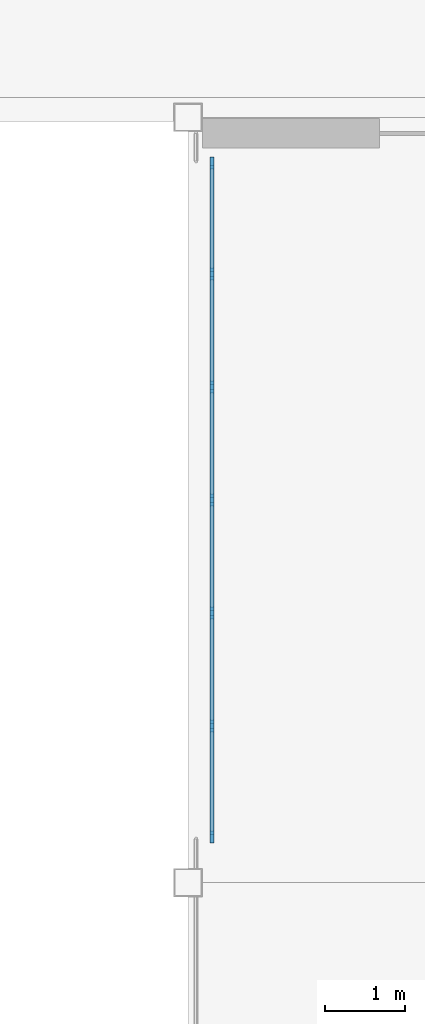
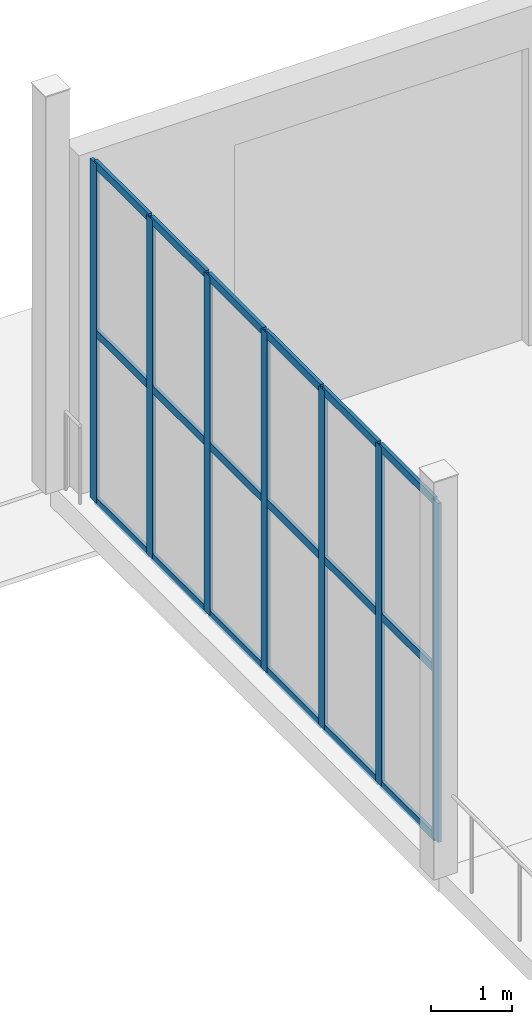
# One storey, part 66 of 139: 25 members, 1 element without a shape of its own.
"""IFC4 building model written with IfcOpenShell, lengths in metres."""

import ifcopenshell
import ifcopenshell.guid

model = None  # the IFC model being written
_history = None  # IfcOwnerHistory: only IFC2X3 demands one
_inside = {}  # id of a spatial element -> (the spatial element, [elements in it])
_under = {}  # id of a project, library or spatial element -> (it, [spatial elements below it])
_declared = {}  # id of a project -> (the project, [libraries it declares])
_typed = {}  # id of a type object -> (the type object, [elements of that type])
_made_of = {}  # id of a material, layer set ... -> (it, [elements and type objects made of it])


def new_model(schema):
    """Start an empty IFC model of exactly this schema.

    Asked for "IFC4X3", IfcOpenShell would pick the latest addendum, in which some entities
    have other attributes; the version numbers below select the first issue.
    IFC2X3 requires an IfcOwnerHistory on every rooted entity: one is made here for all.
    """
    global model, _history
    if schema == "IFC4X3":
        model = ifcopenshell.file(schema_version=(4, 3, 0, 0))
    else:
        model = ifcopenshell.file(schema=schema)
    _inside.clear()
    _under.clear()
    _declared.clear()
    _typed.clear()
    _made_of.clear()
    _history = None
    if model.schema == "IFC2X3":
        org = make("IfcOrganization", Name="unknown")
        user = make(
            "IfcPersonAndOrganization",
            ThePerson=make("IfcPerson", FamilyName="unknown"),
            TheOrganization=org,
        )
        app = make(
            "IfcApplication",
            ApplicationDeveloper=org,
            Version="unknown",
            ApplicationFullName="unknown",
            ApplicationIdentifier="unknown",
        )
        _history = make(
            "IfcOwnerHistory",
            OwningUser=user,
            OwningApplication=app,
            ChangeAction="ADDED",
            CreationDate=0,
        )
    return model


def make(cls, **values):
    """One entity of the class cls with the attributes given. An attribute that is None is left unset."""
    return model.create_entity(
        cls, **{name: value for name, value in values.items() if value is not None}
    )


def rooted(cls, **values):
    """An entity with a GlobalId (a new one), such as an element, a storey or a relation."""
    return make(cls, GlobalId=ifcopenshell.guid.new(), OwnerHistory=_history, **values)


def si_unit(unit_type, name, prefix=None):
    """IfcSIUnit, for example si_unit("LENGTHUNIT", "METRE", prefix="MILLI")."""
    return make("IfcSIUnit", UnitType=unit_type, Prefix=prefix, Name=name)


def assignment(units):
    """IfcUnitAssignment: the units of a project."""
    return None if units is None else make("IfcUnitAssignment", Units=units)


def point(xyz):
    """IfcCartesianPoint."""
    return None if xyz is None else make("IfcCartesianPoint", Coordinates=xyz)


def direction(xyz):
    """IfcDirection."""
    return None if xyz is None else make("IfcDirection", DirectionRatios=xyz)


def frame(location, z_axis=None, x_axis=None):
    """IfcAxis2Placement3D, a coordinate frame: its origin and axes. An axis left out is left unset."""
    return make(
        "IfcAxis2Placement3D",
        Location=point(location),
        Axis=direction(z_axis),
        RefDirection=direction(x_axis),
    )


def frame_2d(location, x_axis=None):
    """IfcAxis2Placement2D, a coordinate frame in the plane: its origin and x axis."""
    return make(
        "IfcAxis2Placement2D", Location=point(location), RefDirection=direction(x_axis)
    )


def origin():
    """The frame at (0, 0, 0) with its axes left unset."""
    return frame((0.0, 0.0, 0.0))


def origin_2d():
    """The frame at (0, 0) in the plane with its x axis left unset."""
    return frame_2d((0.0, 0.0))


def place(relative_to, where):
    """IfcLocalPlacement: puts the frame where relative to a parent placement (None: the world)."""
    return make(
        "IfcLocalPlacement", PlacementRelTo=relative_to, RelativePlacement=where
    )


def context(
    kind, dimensions, precision=None, world=None, true_north=None, identifier=None
):
    """IfcGeometricRepresentationContext, for example the 3D "Model" context."""
    return make(
        "IfcGeometricRepresentationContext",
        ContextIdentifier=identifier,
        ContextType=kind,
        CoordinateSpaceDimension=dimensions,
        Precision=precision,
        WorldCoordinateSystem=world,
        TrueNorth=true_north,
    )


def subcontext(parent, identifier, kind, view, scale=None):
    """IfcGeometricRepresentationSubContext, for example "Body" below "Model"."""
    return make(
        "IfcGeometricRepresentationSubContext",
        ContextIdentifier=identifier,
        ContextType=kind,
        ParentContext=parent,
        TargetScale=scale,
        TargetView=view,
    )


def project(units=None, contexts=None):
    """IfcProject with its units and contexts."""
    return rooted(
        "IfcProject",
        Name="project",
        RepresentationContexts=contexts,
        UnitsInContext=assignment(units),
    )


def spatial(cls, under=None, at=None, **own):
    """A site, building, storey or space (cls), placed at a placement, below another one or the project."""
    s = rooted(cls, ObjectPlacement=at, **own)
    if under is not None:
        _under.setdefault(under.id(), (under, []))[1].append(s)
    return s


def profile(cls, at=None, kind="AREA", **sizes):
    """A parametric profile (cls). Its sizes go by their IFC names, for example OverallWidth=200.0."""
    return make(cls, ProfileType=kind, Position=at, **sizes)


def rectangle(**sizes):
    """IfcRectangleProfileDef."""
    return profile("IfcRectangleProfileDef", **sizes)


def extrude(swept, where, along, depth):
    """IfcExtrudedAreaSolid: the profile swept, set in the frame where, extruded along a direction by depth."""
    return make(
        "IfcExtrudedAreaSolid",
        SweptArea=swept,
        Position=where,
        ExtrudedDirection=direction(along),
        Depth=depth,
    )


def shape(context_of_items, identifier, shape_type, items):
    """IfcShapeRepresentation: the items that make up one representation, for example the "Body"."""
    return make(
        "IfcShapeRepresentation",
        ContextOfItems=context_of_items,
        RepresentationIdentifier=identifier,
        RepresentationType=shape_type,
        Items=items,
    )


def material(Name=None, Category=None):
    """IfcMaterial."""
    return make("IfcMaterial", Name=Name, Category=Category)


def layer(
    of_material, thickness, ventilated=None, Name=None, Category=None, Priority=None
):
    """IfcMaterialLayer: one layer of a wall or slab, of a material (None: an air gap)."""
    return make(
        "IfcMaterialLayer",
        Material=of_material,
        LayerThickness=thickness,
        IsVentilated=ventilated,
        Name=Name,
        Category=Category,
        Priority=Priority,
    )


def layer_set(layers, Name=None):
    """IfcMaterialLayerSet."""
    return make("IfcMaterialLayerSet", MaterialLayers=layers, LayerSetName=Name)


def material_profile(
    of_material, cross_section, Name=None, Category=None, Priority=None
):
    """IfcMaterialProfile: a cross section and its material."""
    return make(
        "IfcMaterialProfile",
        Name=Name,
        Material=of_material,
        Profile=cross_section,
        Priority=Priority,
        Category=Category,
    )


def profile_set(profiles, Name=None, composite=None):
    """IfcMaterialProfileSet."""
    return make(
        "IfcMaterialProfileSet",
        Name=Name,
        MaterialProfiles=profiles,
        CompositeProfile=composite,
    )


def made_of(thing, what):
    """Note that an element or type object is made of a material, layer set ...; save() writes the relation."""
    if what is not None:
        _made_of.setdefault(what.id(), (what, []))[1].append(thing)
    return thing


def type_object(cls, material=None, **own):
    """A type object (cls), such as IfcWallType, which elements share."""
    return made_of(rooted(cls, **own), material)


def element(
    cls,
    number,
    at=None,
    inside=None,
    cuts=None,
    type_object=None,
    material=None,
    context=None,
    identifier="Body",
    shape_type=None,
    held_by="IfcProductDefinitionShape",
    body=None,
    shapes=None,
    **own,
):
    """One element of the class cls, such as IfcWall. Its Tag is "e" and its number.

    at: its placement. inside: the storey or other place that contains it. cuts: it is an
    opening in that element (IfcRelVoidsElement). A single representation is given by context,
    identifier, shape_type and body (its items); several are given by shapes. held_by: the class
    of the entity that holds the representations. save() writes the other relations.
    """
    e = rooted(cls, Tag="e%d" % number, ObjectPlacement=at, **own)
    if body is not None:
        shapes = [shape(context, identifier, shape_type, body)]
    if shapes is not None:
        e.Representation = make(held_by, Representations=shapes)
    if inside is not None:
        _inside.setdefault(inside.id(), (inside, []))[1].append(e)
    if cuts is not None:
        rooted(
            "IfcRelVoidsElement", RelatingBuildingElement=cuts, RelatedOpeningElement=e
        )
    if type_object is not None:
        _typed.setdefault(type_object.id(), (type_object, []))[1].append(e)
    return made_of(e, material)


def aggregate(whole, parts):
    """IfcRelAggregates: a whole, such as a stair, and the parts it consists of."""
    return rooted("IfcRelAggregates", RelatingObject=whole, RelatedObjects=parts)


def save(model, path):
    """Write the relations noted so far, then the file.

    IfcRelAggregates (storeys below a building ...), IfcRelContainedInSpatialStructure (elements
    in a storey), IfcRelDefinesByType, IfcRelAssociatesMaterial and IfcRelDeclares: one each for
    every whole, place, type object, material and project.
    """
    for whole, parts in _under.values():
        aggregate(whole, parts)
    for where, things in _inside.values():
        rooted(
            "IfcRelContainedInSpatialStructure",
            RelatedElements=things,
            RelatingStructure=where,
        )
    for kind, things in _typed.values():
        rooted("IfcRelDefinesByType", RelatedObjects=things, RelatingType=kind)
    for what, things in _made_of.values():
        rooted("IfcRelAssociatesMaterial", RelatedObjects=things, RelatingMaterial=what)
    for by, libraries in _declared.values():
        rooted("IfcRelDeclares", RelatingContext=by, RelatedDefinitions=libraries)
    model.write(path)


model = new_model("IFC4")

# Units and contexts
model_context = context("Model", 3, precision=1e-05, world=origin(), true_north=direction((0.0, 1.0)))
body_context = subcontext(model_context, "Body", "Model", "MODEL_VIEW")
ifc_project = project(units=[si_unit("LENGTHUNIT", "METRE"), si_unit("AREAUNIT", "SQUARE_METRE"), si_unit("VOLUMEUNIT", "CUBIC_METRE"), si_unit("PLANEANGLEUNIT", "RADIAN"), si_unit("MASSUNIT", "GRAM", prefix="KILO")], contexts=[model_context])

# Site, building, storey
site_placement = place(None, origin())
site = spatial("IfcSite", under=ifc_project, at=site_placement, CompositionType="ELEMENT")
building_placement = place(site_placement, origin())
building = spatial("IfcBuilding", under=site, at=building_placement, Name="Yeouljin Market Hall", CompositionType="ELEMENT")
storey_placement = place(building_placement, origin())
storey = spatial("IfcBuildingStorey", under=building, at=storey_placement, Name="L00", CompositionType="ELEMENT", Elevation=0.0)

# Curtain wall, members
ifc_material_1 = material(Name="Thermally Broken Aluminium", Category="aluminium")
ifc_layer = layer(ifc_material_1, 0.14990234375)
ifc_layer_set = layer_set([ifc_layer], Name="Thermally Broken Aluminium")
curtain_wall_type = type_object("IfcCurtainWallType", Name="CW_WingStorefront_System", PredefinedType="USERDEFINED", material=ifc_layer_set)
curtain_wall_placement = place(storey_placement, origin())
curtain_wall = element("IfcCurtainWall", 1, at=curtain_wall_placement, inside=storey, type_object=curtain_wall_type, Name="Curtain wall CW-CRT-L00-17", ObjectType="CURTAIN WALL", PredefinedType="USERDEFINED")
ifc_material_2 = material(Name="Thermally Broken Aluminium", Category="aluminium")
ifc_material_profile_1 = material_profile(ifc_material_2, rectangle(XDim=0.048095703125, YDim=0.14990234375, at=origin_2d()), Name="CW-MULL-48x150")
ifc_profile_set_1 = profile_set([ifc_material_profile_1], Name="Thermally Broken Aluminium")
member_type_1 = type_object("IfcMemberType", Name="CWMullion_48x150", PredefinedType="MULLION", material=ifc_profile_set_1)
member_1_placement = place(storey_placement, frame((45.300048828125, 108.573974609375, 0.0), z_axis=(0.0, 0.0, 1.0), x_axis=(-1.0, 0.0, 0.0)))
member_1 = element("IfcMember", 2, at=member_1_placement, type_object=member_type_1, Name="CW-04 mullion 1", PredefinedType="MULLION", context=body_context, shape_type="SweptSolid", body=[
    extrude(rectangle(XDim=0.048095703125, YDim=0.14990234375, at=origin_2d()), origin(), (0.0, 0.0, 1.0), 5.1201171875),
])
member_2_placement = place(storey_placement, frame((45.300048828125, 109.966552734375, 0.0), z_axis=(0.0, 0.0, 1.0), x_axis=(-1.0, 0.0, 0.0)))
member_2 = element("IfcMember", 3, at=member_2_placement, type_object=member_type_1, Name="CW-04 mullion 2", PredefinedType="MULLION", context=body_context, shape_type="SweptSolid", body=[
    extrude(rectangle(XDim=0.048095703125, YDim=0.14990234375, at=origin_2d()), origin(), (0.0, 0.0, 1.0), 5.1201171875),
])
member_3_placement = place(storey_placement, frame((45.300048828125, 111.38330078125, 0.0), z_axis=(0.0, 0.0, 1.0), x_axis=(-1.0, 0.0, 0.0)))
member_3 = element("IfcMember", 4, at=member_3_placement, type_object=member_type_1, Name="CW-04 mullion 3", PredefinedType="MULLION", context=body_context, shape_type="SweptSolid", body=[
    extrude(rectangle(XDim=0.048095703125, YDim=0.14990234375, at=origin_2d()), origin(), (0.0, 0.0, 1.0), 5.1201171875),
])
member_4_placement = place(storey_placement, frame((45.300048828125, 112.800048828125, 0.0), z_axis=(0.0, 0.0, 1.0), x_axis=(-1.0, 0.0, 0.0)))
member_4 = element("IfcMember", 5, at=member_4_placement, type_object=member_type_1, Name="CW-04 mullion 4", PredefinedType="MULLION", context=body_context, shape_type="SweptSolid", body=[
    extrude(rectangle(XDim=0.048095703125, YDim=0.14990234375, at=origin_2d()), origin(), (0.0, 0.0, 1.0), 5.1201171875),
])
member_5_placement = place(storey_placement, frame((45.300048828125, 114.216552734375, 0.0), z_axis=(0.0, 0.0, 1.0), x_axis=(-1.0, 0.0, 0.0)))
member_5 = element("IfcMember", 6, at=member_5_placement, type_object=member_type_1, Name="CW-04 mullion 5", PredefinedType="MULLION", context=body_context, shape_type="SweptSolid", body=[
    extrude(rectangle(XDim=0.048095703125, YDim=0.14990234375, at=origin_2d()), origin(), (0.0, 0.0, 1.0), 5.1201171875),
])
member_6_placement = place(storey_placement, frame((45.300048828125, 115.63330078125, 0.0), z_axis=(0.0, 0.0, 1.0), x_axis=(-1.0, 0.0, 0.0)))
member_6 = element("IfcMember", 7, at=member_6_placement, type_object=member_type_1, Name="CW-04 mullion 6", PredefinedType="MULLION", context=body_context, shape_type="SweptSolid", body=[
    extrude(rectangle(XDim=0.048095703125, YDim=0.14990234375, at=origin_2d()), origin(), (0.0, 0.0, 1.0), 5.1201171875),
])
member_7_placement = place(storey_placement, frame((45.300048828125, 117.02587890625, 0.0), z_axis=(0.0, 0.0, 1.0), x_axis=(-1.0, 0.0, 0.0)))
member_7 = element("IfcMember", 8, at=member_7_placement, type_object=member_type_1, Name="CW-04 mullion 7", PredefinedType="MULLION", context=body_context, shape_type="SweptSolid", body=[
    extrude(rectangle(XDim=0.048095703125, YDim=0.14990234375, at=origin_2d()), origin(), (0.0, 0.0, 1.0), 5.1201171875),
])
ifc_material_3 = material(Name="Thermally Broken Aluminium", Category="aluminium")
ifc_material_profile_2 = material_profile(ifc_material_3, rectangle(XDim=0.048095703125, YDim=0.1201171875, at=origin_2d()), Name="CW-TRAN-48x120")
ifc_profile_set_2 = profile_set([ifc_material_profile_2], Name="Thermally Broken Aluminium")
member_type_2 = type_object("IfcMemberType", Name="CWTransom_48x120", PredefinedType="USERDEFINED", material=ifc_profile_set_2)
member_8_placement = place(storey_placement, frame((45.300048828125, 108.597900390625, 0.02392578125), z_axis=(0.0, 1.0, 0.0), x_axis=(-1.0, 0.0, 0.0)))
member_8 = element("IfcMember", 9, at=member_8_placement, type_object=member_type_2, Name="CW-04 transom 1.1", ObjectType="TRANSOM", PredefinedType="USERDEFINED", context=body_context, shape_type="SweptSolid", body=[
    extrude(rectangle(XDim=0.048095703125, YDim=0.1201171875, at=origin_2d()), origin(), (0.0, 0.0, 1.0), 1.3447265625),
])
member_9_placement = place(storey_placement, frame((45.300048828125, 108.597900390625, 2.56005859375), z_axis=(0.0, 1.0, 0.0), x_axis=(-1.0, 0.0, 0.0)))
member_9 = element("IfcMember", 10, at=member_9_placement, type_object=member_type_2, Name="CW-04 transom 1.2", ObjectType="TRANSOM", PredefinedType="USERDEFINED", context=body_context, shape_type="SweptSolid", body=[
    extrude(rectangle(XDim=0.048095703125, YDim=0.1201171875, at=origin_2d()), origin(), (0.0, 0.0, 1.0), 1.3447265625),
])
member_10_placement = place(storey_placement, frame((45.300048828125, 108.597900390625, 5.095947265625), z_axis=(0.0, 1.0, 0.0), x_axis=(-1.0, 0.0, 0.0)))
member_10 = element("IfcMember", 11, at=member_10_placement, type_object=member_type_2, Name="CW-04 transom 1.3", ObjectType="TRANSOM", PredefinedType="USERDEFINED", context=body_context, shape_type="SweptSolid", body=[
    extrude(rectangle(XDim=0.048095703125, YDim=0.1201171875, at=origin_2d()), origin(), (0.0, 0.0, 1.0), 1.3447265625),
])
member_11_placement = place(storey_placement, frame((45.300048828125, 109.99072265625, 0.02392578125), z_axis=(0.0, 1.0, 0.0), x_axis=(-1.0, 0.0, 0.0)))
member_11 = element("IfcMember", 12, at=member_11_placement, type_object=member_type_2, Name="CW-04 transom 2.1", ObjectType="TRANSOM", PredefinedType="USERDEFINED", context=body_context, shape_type="SweptSolid", body=[
    extrude(rectangle(XDim=0.048095703125, YDim=0.1201171875, at=origin_2d()), origin(), (0.0, 0.0, 1.0), 1.36865234375),
])
member_12_placement = place(storey_placement, frame((45.300048828125, 109.99072265625, 2.56005859375), z_axis=(0.0, 1.0, 0.0), x_axis=(-1.0, 0.0, 0.0)))
member_12 = element("IfcMember", 13, at=member_12_placement, type_object=member_type_2, Name="CW-04 transom 2.2", ObjectType="TRANSOM", PredefinedType="USERDEFINED", context=body_context, shape_type="SweptSolid", body=[
    extrude(rectangle(XDim=0.048095703125, YDim=0.1201171875, at=origin_2d()), origin(), (0.0, 0.0, 1.0), 1.36865234375),
])
member_13_placement = place(storey_placement, frame((45.300048828125, 109.99072265625, 5.095947265625), z_axis=(0.0, 1.0, 0.0), x_axis=(-1.0, 0.0, 0.0)))
member_13 = element("IfcMember", 14, at=member_13_placement, type_object=member_type_2, Name="CW-04 transom 2.3", ObjectType="TRANSOM", PredefinedType="USERDEFINED", context=body_context, shape_type="SweptSolid", body=[
    extrude(rectangle(XDim=0.048095703125, YDim=0.1201171875, at=origin_2d()), origin(), (0.0, 0.0, 1.0), 1.36865234375),
])
member_14_placement = place(storey_placement, frame((45.300048828125, 111.4072265625, 0.02392578125), z_axis=(0.0, 1.0, 0.0), x_axis=(-1.0, 0.0, 0.0)))
member_14 = element("IfcMember", 15, at=member_14_placement, type_object=member_type_2, Name="CW-04 transom 3.1", ObjectType="TRANSOM", PredefinedType="USERDEFINED", context=body_context, shape_type="SweptSolid", body=[
    extrude(rectangle(XDim=0.048095703125, YDim=0.1201171875, at=origin_2d()), origin(), (0.0, 0.0, 1.0), 1.36865234375),
])
member_15_placement = place(storey_placement, frame((45.300048828125, 111.4072265625, 2.56005859375), z_axis=(0.0, 1.0, 0.0), x_axis=(-1.0, 0.0, 0.0)))
member_15 = element("IfcMember", 16, at=member_15_placement, type_object=member_type_2, Name="CW-04 transom 3.2", ObjectType="TRANSOM", PredefinedType="USERDEFINED", context=body_context, shape_type="SweptSolid", body=[
    extrude(rectangle(XDim=0.048095703125, YDim=0.1201171875, at=origin_2d()), origin(), (0.0, 0.0, 1.0), 1.36865234375),
])
member_16_placement = place(storey_placement, frame((45.300048828125, 111.4072265625, 5.095947265625), z_axis=(0.0, 1.0, 0.0), x_axis=(-1.0, 0.0, 0.0)))
member_16 = element("IfcMember", 17, at=member_16_placement, type_object=member_type_2, Name="CW-04 transom 3.3", ObjectType="TRANSOM", PredefinedType="USERDEFINED", context=body_context, shape_type="SweptSolid", body=[
    extrude(rectangle(XDim=0.048095703125, YDim=0.1201171875, at=origin_2d()), origin(), (0.0, 0.0, 1.0), 1.36865234375),
])
member_17_placement = place(storey_placement, frame((45.300048828125, 112.823974609375, 0.02392578125), z_axis=(0.0, 1.0, 0.0), x_axis=(-1.0, 0.0, 0.0)))
member_17 = element("IfcMember", 18, at=member_17_placement, type_object=member_type_2, Name="CW-04 transom 4.1", ObjectType="TRANSOM", PredefinedType="USERDEFINED", context=body_context, shape_type="SweptSolid", body=[
    extrude(rectangle(XDim=0.048095703125, YDim=0.1201171875, at=origin_2d()), origin(), (0.0, 0.0, 1.0), 1.36865234375),
])
member_18_placement = place(storey_placement, frame((45.300048828125, 112.823974609375, 2.56005859375), z_axis=(0.0, 1.0, 0.0), x_axis=(-1.0, 0.0, 0.0)))
member_18 = element("IfcMember", 19, at=member_18_placement, type_object=member_type_2, Name="CW-04 transom 4.2", ObjectType="TRANSOM", PredefinedType="USERDEFINED", context=body_context, shape_type="SweptSolid", body=[
    extrude(rectangle(XDim=0.048095703125, YDim=0.1201171875, at=origin_2d()), origin(), (0.0, 0.0, 1.0), 1.36865234375),
])
member_19_placement = place(storey_placement, frame((45.300048828125, 112.823974609375, 5.095947265625), z_axis=(0.0, 1.0, 0.0), x_axis=(-1.0, 0.0, 0.0)))
member_19 = element("IfcMember", 20, at=member_19_placement, type_object=member_type_2, Name="CW-04 transom 4.3", ObjectType="TRANSOM", PredefinedType="USERDEFINED", context=body_context, shape_type="SweptSolid", body=[
    extrude(rectangle(XDim=0.048095703125, YDim=0.1201171875, at=origin_2d()), origin(), (0.0, 0.0, 1.0), 1.36865234375),
])
member_20_placement = place(storey_placement, frame((45.300048828125, 114.24072265625, 0.02392578125), z_axis=(0.0, 1.0, 0.0), x_axis=(-1.0, 0.0, 0.0)))
member_20 = element("IfcMember", 21, at=member_20_placement, type_object=member_type_2, Name="CW-04 transom 5.1", ObjectType="TRANSOM", PredefinedType="USERDEFINED", context=body_context, shape_type="SweptSolid", body=[
    extrude(rectangle(XDim=0.048095703125, YDim=0.1201171875, at=origin_2d()), origin(), (0.0, 0.0, 1.0), 1.36865234375),
])
member_21_placement = place(storey_placement, frame((45.300048828125, 114.24072265625, 2.56005859375), z_axis=(0.0, 1.0, 0.0), x_axis=(-1.0, 0.0, 0.0)))
member_21 = element("IfcMember", 22, at=member_21_placement, type_object=member_type_2, Name="CW-04 transom 5.2", ObjectType="TRANSOM", PredefinedType="USERDEFINED", context=body_context, shape_type="SweptSolid", body=[
    extrude(rectangle(XDim=0.048095703125, YDim=0.1201171875, at=origin_2d()), origin(), (0.0, 0.0, 1.0), 1.36865234375),
])
member_22_placement = place(storey_placement, frame((45.300048828125, 114.24072265625, 5.095947265625), z_axis=(0.0, 1.0, 0.0), x_axis=(-1.0, 0.0, 0.0)))
member_22 = element("IfcMember", 23, at=member_22_placement, type_object=member_type_2, Name="CW-04 transom 5.3", ObjectType="TRANSOM", PredefinedType="USERDEFINED", context=body_context, shape_type="SweptSolid", body=[
    extrude(rectangle(XDim=0.048095703125, YDim=0.1201171875, at=origin_2d()), origin(), (0.0, 0.0, 1.0), 1.36865234375),
])
member_23_placement = place(storey_placement, frame((45.300048828125, 115.6572265625, 0.02392578125), z_axis=(0.0, 1.0, 0.0), x_axis=(-1.0, 0.0, 0.0)))
member_23 = element("IfcMember", 24, at=member_23_placement, type_object=member_type_2, Name="CW-04 transom 6.1", ObjectType="TRANSOM", PredefinedType="USERDEFINED", context=body_context, shape_type="SweptSolid", body=[
    extrude(rectangle(XDim=0.048095703125, YDim=0.1201171875, at=origin_2d()), origin(), (0.0, 0.0, 1.0), 1.3447265625),
])
member_24_placement = place(storey_placement, frame((45.300048828125, 115.6572265625, 2.56005859375), z_axis=(0.0, 1.0, 0.0), x_axis=(-1.0, 0.0, 0.0)))
member_24 = element("IfcMember", 25, at=member_24_placement, type_object=member_type_2, Name="CW-04 transom 6.2", ObjectType="TRANSOM", PredefinedType="USERDEFINED", context=body_context, shape_type="SweptSolid", body=[
    extrude(rectangle(XDim=0.048095703125, YDim=0.1201171875, at=origin_2d()), origin(), (0.0, 0.0, 1.0), 1.3447265625),
])
member_25_placement = place(storey_placement, frame((45.300048828125, 115.6572265625, 5.095947265625), z_axis=(0.0, 1.0, 0.0), x_axis=(-1.0, 0.0, 0.0)))
member_25 = element("IfcMember", 26, at=member_25_placement, type_object=member_type_2, Name="CW-04 transom 6.3", ObjectType="TRANSOM", PredefinedType="USERDEFINED", context=body_context, shape_type="SweptSolid", body=[
    extrude(rectangle(XDim=0.048095703125, YDim=0.1201171875, at=origin_2d()), origin(), (0.0, 0.0, 1.0), 1.3447265625),
])
aggregate(curtain_wall, [member_1, member_2, member_3, member_4, member_5, member_6, member_7, member_8, member_9, member_10, member_11, member_12, member_13, member_14, member_15, member_16, member_17, member_18, member_19, member_20, member_21, member_22, member_23, member_24, member_25])

save(model, "model.ifc")
